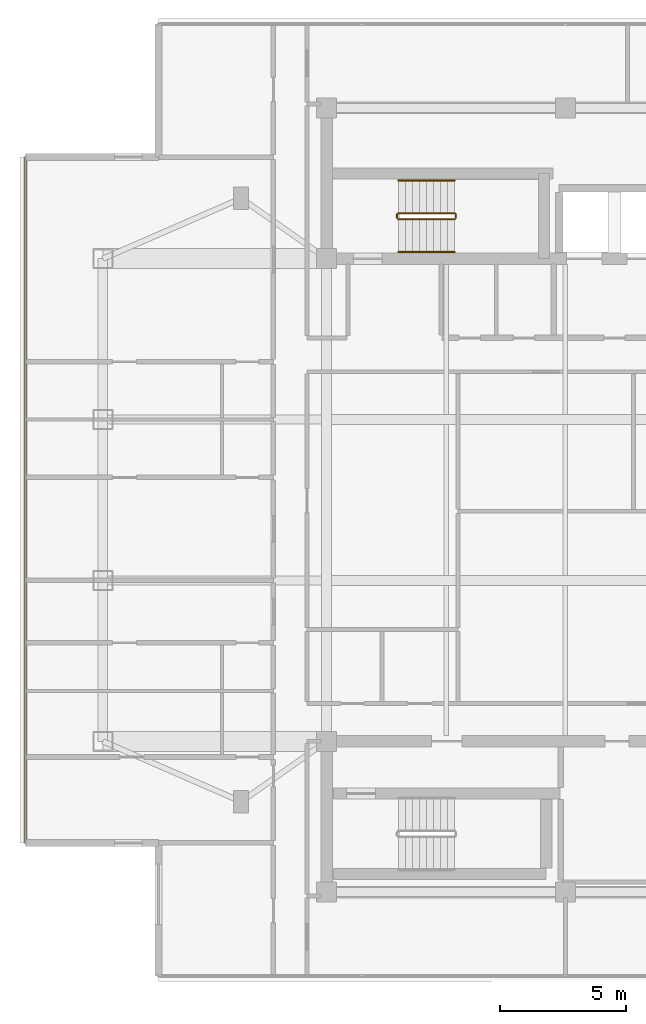
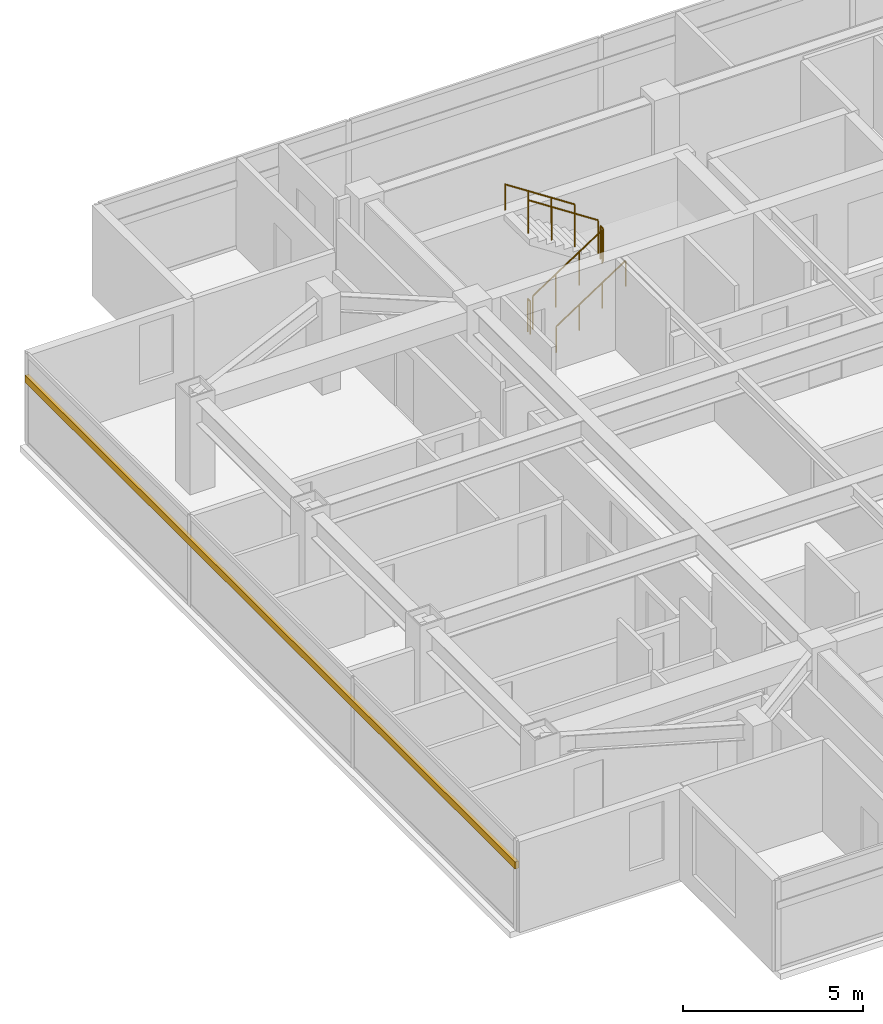
# One storey, part 13 of 14: 6 railings, 1 shading device.
"""IFC4 building model written with IfcOpenShell, lengths in metres."""

from ifc_helpers import new_model, si_unit, direction, frame, origin, origin_2d, place, context, subcontext, project, spatial, rectangle, circle, extrude, material, material_profile, profile_set, type_object, element, save


model = new_model("IFC4")

# Units and contexts
model_context = context("Model", 3, precision=1e-05, world=origin(), true_north=direction((0.0, 1.0)))
body_context = subcontext(model_context, "Body", "Model", "MODEL_VIEW")
ifc_project = project(units=[si_unit("LENGTHUNIT", "METRE"), si_unit("AREAUNIT", "SQUARE_METRE"), si_unit("VOLUMEUNIT", "CUBIC_METRE"), si_unit("PLANEANGLEUNIT", "RADIAN"), si_unit("MASSUNIT", "GRAM", prefix="KILO")], contexts=[model_context])

# Site, building, storey
site_placement = place(None, origin())
site = spatial("IfcSite", under=ifc_project, at=site_placement, CompositionType="ELEMENT")
building_placement = place(site_placement, origin())
building = spatial("IfcBuilding", under=site, at=building_placement, Name="Mirazonda Arch Towers", CompositionType="ELEMENT")
storey_placement = place(building_placement, frame((0.0, 0.0, 235.89990234375)))
storey = spatial("IfcBuildingStorey", under=building, at=storey_placement, Name="L67", CompositionType="ELEMENT", Elevation=235.89990234375)

# Shading device
ifc_material_1 = material(Name="Kiln-Fired Architectural Terracotta", Category="masonry")
ifc_material_profile = material_profile(ifc_material_1, rectangle(XDim=0.1201171875, YDim=0.239990234375, at=origin_2d()), Name="TERRA-BAG-120x240")
ifc_profile_set = profile_set([ifc_material_profile], Name="Kiln-Fired Architectural Terracotta")
shading_device_type = type_object("IfcShadingDeviceType", Name="BAGUETTE-1", PredefinedType="USERDEFINED", material=ifc_profile_set)
shading_device_placement = place(storey_placement, frame((-0.97998046875, 41.639892578125, 2.2177734375), z_axis=(0.0, -1.0, 0.0), x_axis=(1.0, 0.0, 0.0)))
element("IfcShadingDevice", 1, at=shading_device_placement, inside=storey, type_object=shading_device_type, Name="L67 Glazed Terracotta Sun-Screen Baguette CW-L67-T1-W", ObjectType="BAGUETTE", PredefinedType="USERDEFINED", context=body_context, shape_type="SweptSolid", body=[
    extrude(rectangle(XDim=0.1201171875, YDim=0.239990234375, at=origin_2d()), origin(), (0.0, 0.0, 1.0), 27.27978515625),
])

# Railings
ifc_material_2 = material(Name="Architectural Brushed Steel S355", Category="steel")
railing_type_1 = type_object("IfcRailingType", Name="GUARD-STAIR-1120", PredefinedType="GUARDRAIL", material=ifc_material_2)
railing_1_placement = place(storey_placement, frame((13.85009765625, 39.169921875, 0.183349609375)))
element("IfcRailing", 2, at=railing_1_placement, inside=storey, type_object=railing_type_1, Name="L67 ST-T1N stair guard 1", PredefinedType="GUARDRAIL", context=body_context, shape_type="SweptSolid", body=[
    extrude(circle(Radius=0.02392578125, at=origin_2d()), frame((0.0, 0.0, 1.1259765625), z_axis=(0.836595146698, 0.0, 0.547821650285), x_axis=(0.0, 1.0, 0.0)), (0.0, 0.0, 1.0), 2.677490234375),
    extrude(circle(Radius=0.02099609375, at=origin_2d()), origin(), (0.0, 0.0, 1.0), 1.101806640625),
    extrude(circle(Radius=0.02099609375, at=origin_2d()), frame((0.74658203125, 0.0, 0.489013671875)), (0.0, 0.0, 1.0), 1.101806640625),
    extrude(circle(Radius=0.02099609375, at=origin_2d()), frame((1.493408203125, 0.0, 0.977783203125)), (0.0, 0.0, 1.0), 1.101806640625),
    extrude(circle(Radius=0.02099609375, at=origin_2d()), frame((2.239990234375, 0.0, 1.466796875)), (0.0, 0.0, 1.0), 1.101806640625),
])
railing_2_placement = place(storey_placement, frame((16.139892578125, 39.219970703125, 1.650146484375)))
element("IfcRailing", 3, at=railing_2_placement, inside=storey, type_object=railing_type_1, Name="L67 ST-T1N stair guard 2", PredefinedType="GUARDRAIL", context=body_context, shape_type="SweptSolid", body=[
    extrude(circle(Radius=0.02392578125, at=origin_2d()), frame((0.0, 0.0, 1.1259765625), z_axis=(0.0, 1.0, 0.0), x_axis=(-1.0, 0.0, 0.0)), (0.0, 0.0, 1.0), 0.14013671875),
    extrude(circle(Radius=0.02099609375, at=origin_2d()), origin(), (0.0, 0.0, 1.0), 1.101806640625),
    extrude(circle(Radius=0.02099609375, at=origin_2d()), frame((0.0, 0.14013671875, 0.0)), (0.0, 0.0, 1.0), 1.101806640625),
])
railing_3_placement = place(storey_placement, frame((16.090087890625, 39.409912109375, 1.83349609375)))
element("IfcRailing", 4, at=railing_3_placement, inside=storey, type_object=railing_type_1, Name="L67 ST-T1N stair guard 3", PredefinedType="GUARDRAIL", context=body_context, shape_type="SweptSolid", body=[
    extrude(circle(Radius=0.02392578125, at=origin_2d()), frame((0.0, 0.0, 1.1259765625), z_axis=(-0.836636935527, 0.0, 0.547757827979), x_axis=(0.0, -1.0, 0.0)), (0.0, 0.0, 1.0), 2.677490234375),
    extrude(circle(Radius=0.02099609375, at=origin_2d()), origin(), (0.0, 0.0, 1.0), 1.101806640625),
    extrude(circle(Radius=0.02099609375, at=origin_2d()), frame((-0.74658203125, 0.0, 0.48876953125)), (0.0, 0.0, 1.0), 1.101806640625),
    extrude(circle(Radius=0.02099609375, at=origin_2d()), frame((-1.493408203125, 0.0, 0.977783203125)), (0.0, 0.0, 1.0), 1.101806640625),
    extrude(circle(Radius=0.02099609375, at=origin_2d()), frame((-2.239990234375, 0.0, 1.466552734375)), (0.0, 0.0, 1.0), 1.101806640625),
])
railing_4_placement = place(storey_placement, frame((13.800048828125, 39.219970703125, 0.0)))
element("IfcRailing", 5, at=railing_4_placement, inside=storey, type_object=railing_type_1, Name="L67 ST-T1N stair guard 4", PredefinedType="GUARDRAIL", context=body_context, shape_type="SweptSolid", body=[
    extrude(circle(Radius=0.02392578125, at=origin_2d()), frame((0.0, 0.0, 1.1259765625), z_axis=(0.0, 1.0, 0.0), x_axis=(-1.0, 0.0, 0.0)), (0.0, 0.0, 1.0), 0.14013671875),
    extrude(circle(Radius=0.02099609375, at=origin_2d()), origin(), (0.0, 0.0, 1.0), 1.101806640625),
    extrude(circle(Radius=0.02099609375, at=origin_2d()), frame((0.0, 0.14013671875, 0.0)), (0.0, 0.0, 1.0), 1.101806640625),
])
railing_type_2 = type_object("IfcRailingType", Name="HANDRAIL-915", PredefinedType="HANDRAIL", material=ifc_material_2)
railing_5_placement = place(storey_placement, frame((13.85009765625, 37.8701171875, 0.183349609375)))
element("IfcRailing", 6, at=railing_5_placement, inside=storey, type_object=railing_type_2, Name="L67 ST-T1N stair handrail 1", PredefinedType="HANDRAIL", context=body_context, shape_type="SweptSolid", body=[
    extrude(circle(Radius=0.02392578125, at=origin_2d()), frame((0.0, 0.0, 0.8759765625), z_axis=(0.836595146698, 0.0, 0.547821650285), x_axis=(0.0, 1.0, 0.0)), (0.0, 0.0, 1.0), 2.677490234375),
    extrude(circle(Radius=0.02099609375, at=origin_2d()), origin(), (0.0, 0.0, 1.0), 0.851806640625),
    extrude(circle(Radius=0.02099609375, at=origin_2d()), frame((0.74658203125, 0.0, 0.489013671875)), (0.0, 0.0, 1.0), 0.851806640625),
    extrude(circle(Radius=0.02099609375, at=origin_2d()), frame((1.493408203125, 0.0, 0.977783203125)), (0.0, 0.0, 1.0), 0.851806640625),
    extrude(circle(Radius=0.02099609375, at=origin_2d()), frame((2.239990234375, 0.0, 1.466796875)), (0.0, 0.0, 1.0), 0.851806640625),
])
railing_6_placement = place(storey_placement, frame((16.090087890625, 40.7099609375, 1.83349609375)))
element("IfcRailing", 7, at=railing_6_placement, inside=storey, type_object=railing_type_2, Name="L67 ST-T1N stair handrail 2", PredefinedType="HANDRAIL", context=body_context, shape_type="SweptSolid", body=[
    extrude(circle(Radius=0.02392578125, at=origin_2d()), frame((0.0, 0.0, 0.8759765625), z_axis=(-0.836636935527, 0.0, 0.547757827979), x_axis=(0.0, -1.0, 0.0)), (0.0, 0.0, 1.0), 2.677490234375),
    extrude(circle(Radius=0.02099609375, at=origin_2d()), origin(), (0.0, 0.0, 1.0), 0.851806640625),
    extrude(circle(Radius=0.02099609375, at=origin_2d()), frame((-0.74658203125, 0.0, 0.48876953125)), (0.0, 0.0, 1.0), 0.851806640625),
    extrude(circle(Radius=0.02099609375, at=origin_2d()), frame((-1.493408203125, 0.0, 0.977783203125)), (0.0, 0.0, 1.0), 0.851806640625),
    extrude(circle(Radius=0.02099609375, at=origin_2d()), frame((-2.239990234375, 0.0, 1.466552734375)), (0.0, 0.0, 1.0), 0.851806640625),
])

save(model, "model.ifc")
